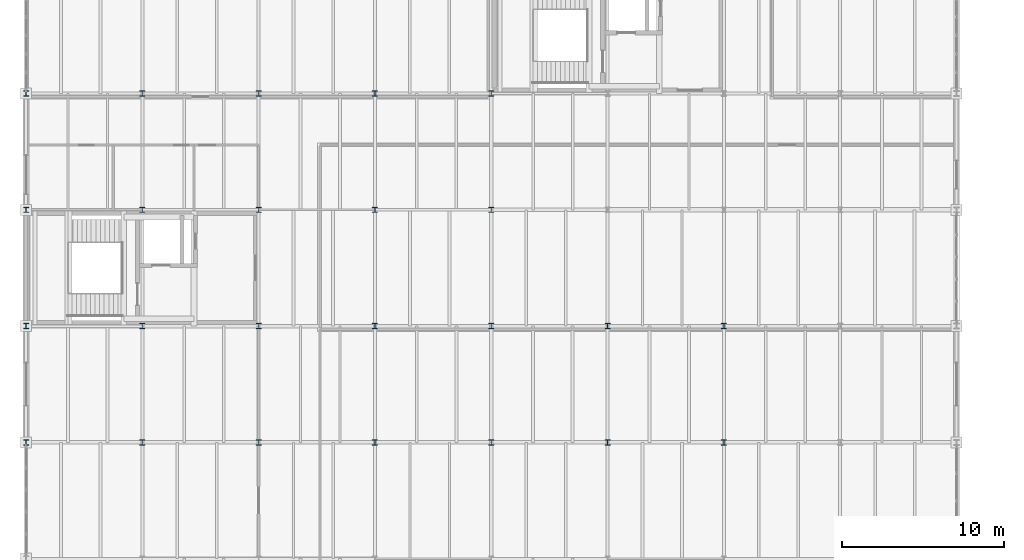
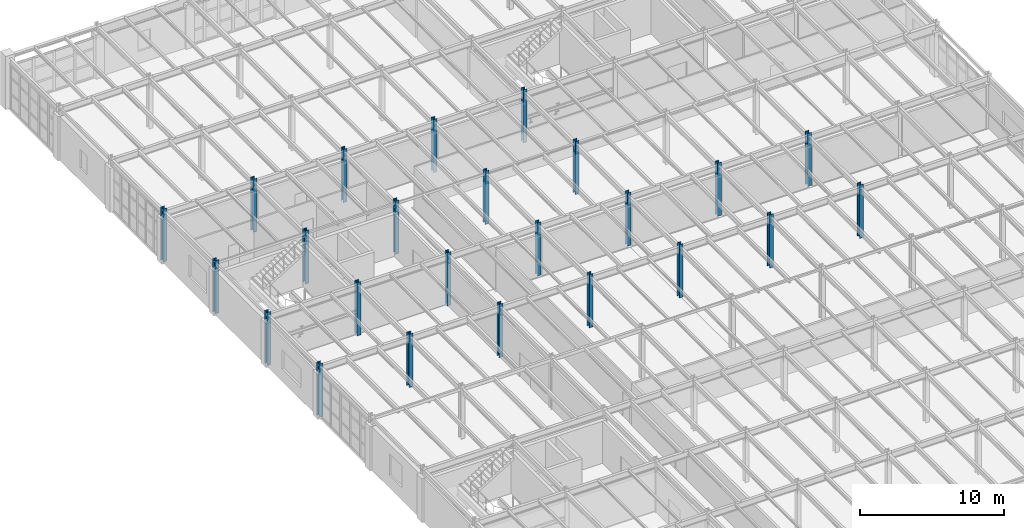
# One storey, part 3 of 137: 24 columns.
"""IFC4 building model written with IfcOpenShell, lengths in metres."""

import ifcopenshell
import ifcopenshell.guid

model = None  # the IFC model being written
_history = None  # IfcOwnerHistory: only IFC2X3 demands one
_inside = {}  # id of a spatial element -> (the spatial element, [elements in it])
_under = {}  # id of a project, library or spatial element -> (it, [spatial elements below it])
_declared = {}  # id of a project -> (the project, [libraries it declares])
_typed = {}  # id of a type object -> (the type object, [elements of that type])
_made_of = {}  # id of a material, layer set ... -> (it, [elements and type objects made of it])


def new_model(schema):
    """Start an empty IFC model of exactly this schema.

    Asked for "IFC4X3", IfcOpenShell would pick the latest addendum, in which some entities
    have other attributes; the version numbers below select the first issue.
    IFC2X3 requires an IfcOwnerHistory on every rooted entity: one is made here for all.
    """
    global model, _history
    if schema == "IFC4X3":
        model = ifcopenshell.file(schema_version=(4, 3, 0, 0))
    else:
        model = ifcopenshell.file(schema=schema)
    _inside.clear()
    _under.clear()
    _declared.clear()
    _typed.clear()
    _made_of.clear()
    _history = None
    if model.schema == "IFC2X3":
        org = make("IfcOrganization", Name="unknown")
        user = make(
            "IfcPersonAndOrganization",
            ThePerson=make("IfcPerson", FamilyName="unknown"),
            TheOrganization=org,
        )
        app = make(
            "IfcApplication",
            ApplicationDeveloper=org,
            Version="unknown",
            ApplicationFullName="unknown",
            ApplicationIdentifier="unknown",
        )
        _history = make(
            "IfcOwnerHistory",
            OwningUser=user,
            OwningApplication=app,
            ChangeAction="ADDED",
            CreationDate=0,
        )
    return model


def make(cls, **values):
    """One entity of the class cls with the attributes given. An attribute that is None is left unset."""
    return model.create_entity(
        cls, **{name: value for name, value in values.items() if value is not None}
    )


def rooted(cls, **values):
    """An entity with a GlobalId (a new one), such as an element, a storey or a relation."""
    return make(cls, GlobalId=ifcopenshell.guid.new(), OwnerHistory=_history, **values)


def si_unit(unit_type, name, prefix=None):
    """IfcSIUnit, for example si_unit("LENGTHUNIT", "METRE", prefix="MILLI")."""
    return make("IfcSIUnit", UnitType=unit_type, Prefix=prefix, Name=name)


def assignment(units):
    """IfcUnitAssignment: the units of a project."""
    return None if units is None else make("IfcUnitAssignment", Units=units)


def point(xyz):
    """IfcCartesianPoint."""
    return None if xyz is None else make("IfcCartesianPoint", Coordinates=xyz)


def direction(xyz):
    """IfcDirection."""
    return None if xyz is None else make("IfcDirection", DirectionRatios=xyz)


def frame(location, z_axis=None, x_axis=None):
    """IfcAxis2Placement3D, a coordinate frame: its origin and axes. An axis left out is left unset."""
    return make(
        "IfcAxis2Placement3D",
        Location=point(location),
        Axis=direction(z_axis),
        RefDirection=direction(x_axis),
    )


def frame_2d(location, x_axis=None):
    """IfcAxis2Placement2D, a coordinate frame in the plane: its origin and x axis."""
    return make(
        "IfcAxis2Placement2D", Location=point(location), RefDirection=direction(x_axis)
    )


def origin():
    """The frame at (0, 0, 0) with its axes left unset."""
    return frame((0.0, 0.0, 0.0))


def origin_2d():
    """The frame at (0, 0) in the plane with its x axis left unset."""
    return frame_2d((0.0, 0.0))


def place(relative_to, where):
    """IfcLocalPlacement: puts the frame where relative to a parent placement (None: the world)."""
    return make(
        "IfcLocalPlacement", PlacementRelTo=relative_to, RelativePlacement=where
    )


def context(
    kind, dimensions, precision=None, world=None, true_north=None, identifier=None
):
    """IfcGeometricRepresentationContext, for example the 3D "Model" context."""
    return make(
        "IfcGeometricRepresentationContext",
        ContextIdentifier=identifier,
        ContextType=kind,
        CoordinateSpaceDimension=dimensions,
        Precision=precision,
        WorldCoordinateSystem=world,
        TrueNorth=true_north,
    )


def subcontext(parent, identifier, kind, view, scale=None):
    """IfcGeometricRepresentationSubContext, for example "Body" below "Model"."""
    return make(
        "IfcGeometricRepresentationSubContext",
        ContextIdentifier=identifier,
        ContextType=kind,
        ParentContext=parent,
        TargetScale=scale,
        TargetView=view,
    )


def project(units=None, contexts=None):
    """IfcProject with its units and contexts."""
    return rooted(
        "IfcProject",
        Name="project",
        RepresentationContexts=contexts,
        UnitsInContext=assignment(units),
    )


def spatial(cls, under=None, at=None, **own):
    """A site, building, storey or space (cls), placed at a placement, below another one or the project."""
    s = rooted(cls, ObjectPlacement=at, **own)
    if under is not None:
        _under.setdefault(under.id(), (under, []))[1].append(s)
    return s


def profile(cls, at=None, kind="AREA", **sizes):
    """A parametric profile (cls). Its sizes go by their IFC names, for example OverallWidth=200.0."""
    return make(cls, ProfileType=kind, Position=at, **sizes)


def i_section(**sizes):
    """IfcIShapeProfileDef."""
    return profile("IfcIShapeProfileDef", **sizes)


def extrude(swept, where, along, depth):
    """IfcExtrudedAreaSolid: the profile swept, set in the frame where, extruded along a direction by depth."""
    return make(
        "IfcExtrudedAreaSolid",
        SweptArea=swept,
        Position=where,
        ExtrudedDirection=direction(along),
        Depth=depth,
    )


def shape(context_of_items, identifier, shape_type, items):
    """IfcShapeRepresentation: the items that make up one representation, for example the "Body"."""
    return make(
        "IfcShapeRepresentation",
        ContextOfItems=context_of_items,
        RepresentationIdentifier=identifier,
        RepresentationType=shape_type,
        Items=items,
    )


def material(Name=None, Category=None):
    """IfcMaterial."""
    return make("IfcMaterial", Name=Name, Category=Category)


def material_profile(
    of_material, cross_section, Name=None, Category=None, Priority=None
):
    """IfcMaterialProfile: a cross section and its material."""
    return make(
        "IfcMaterialProfile",
        Name=Name,
        Material=of_material,
        Profile=cross_section,
        Priority=Priority,
        Category=Category,
    )


def profile_set(profiles, Name=None, composite=None):
    """IfcMaterialProfileSet."""
    return make(
        "IfcMaterialProfileSet",
        Name=Name,
        MaterialProfiles=profiles,
        CompositeProfile=composite,
    )


def made_of(thing, what):
    """Note that an element or type object is made of a material, layer set ...; save() writes the relation."""
    if what is not None:
        _made_of.setdefault(what.id(), (what, []))[1].append(thing)
    return thing


def type_object(cls, material=None, **own):
    """A type object (cls), such as IfcWallType, which elements share."""
    return made_of(rooted(cls, **own), material)


def element(
    cls,
    number,
    at=None,
    inside=None,
    cuts=None,
    type_object=None,
    material=None,
    context=None,
    identifier="Body",
    shape_type=None,
    held_by="IfcProductDefinitionShape",
    body=None,
    shapes=None,
    **own,
):
    """One element of the class cls, such as IfcWall. Its Tag is "e" and its number.

    at: its placement. inside: the storey or other place that contains it. cuts: it is an
    opening in that element (IfcRelVoidsElement). A single representation is given by context,
    identifier, shape_type and body (its items); several are given by shapes. held_by: the class
    of the entity that holds the representations. save() writes the other relations.
    """
    e = rooted(cls, Tag="e%d" % number, ObjectPlacement=at, **own)
    if body is not None:
        shapes = [shape(context, identifier, shape_type, body)]
    if shapes is not None:
        e.Representation = make(held_by, Representations=shapes)
    if inside is not None:
        _inside.setdefault(inside.id(), (inside, []))[1].append(e)
    if cuts is not None:
        rooted(
            "IfcRelVoidsElement", RelatingBuildingElement=cuts, RelatedOpeningElement=e
        )
    if type_object is not None:
        _typed.setdefault(type_object.id(), (type_object, []))[1].append(e)
    return made_of(e, material)


def aggregate(whole, parts):
    """IfcRelAggregates: a whole, such as a stair, and the parts it consists of."""
    return rooted("IfcRelAggregates", RelatingObject=whole, RelatedObjects=parts)


def save(model, path):
    """Write the relations noted so far, then the file.

    IfcRelAggregates (storeys below a building ...), IfcRelContainedInSpatialStructure (elements
    in a storey), IfcRelDefinesByType, IfcRelAssociatesMaterial and IfcRelDeclares: one each for
    every whole, place, type object, material and project.
    """
    for whole, parts in _under.values():
        aggregate(whole, parts)
    for where, things in _inside.values():
        rooted(
            "IfcRelContainedInSpatialStructure",
            RelatedElements=things,
            RelatingStructure=where,
        )
    for kind, things in _typed.values():
        rooted("IfcRelDefinesByType", RelatedObjects=things, RelatingType=kind)
    for what, things in _made_of.values():
        rooted("IfcRelAssociatesMaterial", RelatedObjects=things, RelatingMaterial=what)
    for by, libraries in _declared.values():
        rooted("IfcRelDeclares", RelatingContext=by, RelatedDefinitions=libraries)
    model.write(path)


model = new_model("IFC4")

# Units and contexts
model_context = context("Model", 3, precision=1e-05, world=origin(), true_north=direction((0.0, 1.0)))
body_context = subcontext(model_context, "Body", "Model", "MODEL_VIEW")
ifc_project = project(units=[si_unit("LENGTHUNIT", "METRE"), si_unit("AREAUNIT", "SQUARE_METRE"), si_unit("VOLUMEUNIT", "CUBIC_METRE"), si_unit("PLANEANGLEUNIT", "RADIAN"), si_unit("MASSUNIT", "GRAM", prefix="KILO")], contexts=[model_context])

# Site, building, storey
site_placement = place(None, origin())
site = spatial("IfcSite", under=ifc_project, at=site_placement, CompositionType="ELEMENT")
building_placement = place(site_placement, origin())
building = spatial("IfcBuilding", under=site, at=building_placement, Name="Kemerveld Promenade Tramway Depot", CompositionType="ELEMENT")
storey_placement = place(building_placement, frame((0.0, 0.0, 5.39990234375)))
storey = spatial("IfcBuildingStorey", under=building, at=storey_placement, Name="L01", CompositionType="ELEMENT", Elevation=5.39990234375)

# Columns
ifc_material = material(Name="Steel S355", Category="steel")
ifc_material_profile = material_profile(ifc_material, i_section(OverallWidth=0.311279296875, OverallDepth=0.3271484375, WebThickness=0.015869140625, FlangeThickness=0.02490234375, FilletRadius=0.01513671875, at=origin_2d()), Name="305x305x158 UC")
ifc_profile_set = profile_set([ifc_material_profile], Name="Steel S355")
column_type = type_object("IfcColumnType", Name="COL-S05", PredefinedType="COLUMN", material=ifc_profile_set)
for number, where, z_axis, x_axis, name in (
    (1, (0.0, 36.0, 0.0), (0.0, 0.0, 1.0), (1.0, 0.0, 0.0), "COL-L01-01-F"),
    (2, (0.0, 43.199951171875, 0.0), (0.0, 0.0, 1.0), (1.0, 0.0, 0.0), "COL-L01-01-G"),
    (3, (0.0, 50.39990234375, 0.0), (0.0, 0.0, 1.0), (1.0, 0.0, 0.0), "COL-L01-01-H"),
    (4, (0.0, 57.60009765625, 0.0), (0.0, 0.0, 1.0), (1.0, 0.0, 0.0), "COL-L01-01-J"),
    (5, (7.199951171875, 36.0, 0.0), (0.0, 0.0, 1.0), (1.0, 0.0, 0.0), "COL-L01-02-F"),
    (6, (7.199951171875, 43.199951171875, 0.0), (0.0, 0.0, 1.0), (1.0, 0.0, 0.0), "COL-L01-02-G"),
    (7, (7.199951171875, 50.39990234375, 0.0), (0.0, 0.0, 1.0), (1.0, 0.0, 0.0), "COL-L01-02-H"),
    (8, (7.199951171875, 57.60009765625, 0.0), (0.0, 0.0, 1.0), (1.0, 0.0, 0.0), "COL-L01-02-J"),
    (9, (14.39990234375, 36.0, 0.0), (0.0, 0.0, 1.0), (1.0, 0.0, 0.0), "COL-L01-03-F"),
    (10, (14.39990234375, 43.199951171875, 0.0), (0.0, 0.0, 1.0), (1.0, 0.0, 0.0), "COL-L01-03-G"),
    (11, (14.39990234375, 50.39990234375, 0.0), (0.0, 0.0, 1.0), (1.0, 0.0, 0.0), "COL-L01-03-H"),
    (12, (14.39990234375, 57.60009765625, 0.0), (0.0, 0.0, 1.0), (1.0, 0.0, 0.0), "COL-L01-03-J"),
    (13, (21.60009765625, 36.0, 0.0), (0.0, 0.0, 1.0), (1.0, 0.0, 0.0), "COL-L01-04-F"),
    (14, (21.60009765625, 43.199951171875, 0.0), (0.0, 0.0, 1.0), (1.0, 0.0, 0.0), "COL-L01-04-G"),
    (15, (21.60009765625, 50.39990234375, 0.0), (0.0, 0.0, 1.0), (1.0, 0.0, 0.0), "COL-L01-04-H"),
    (16, (21.60009765625, 57.60009765625, 0.0), (0.0, 0.0, 1.0), (1.0, 0.0, 0.0), "COL-L01-04-J"),
    (17, (28.800048828125, 36.0, 0.0), (0.0, 0.0, 1.0), (1.0, 0.0, 0.0), "COL-L01-05-F"),
    (18, (28.800048828125, 43.199951171875, 0.0), (0.0, 0.0, 1.0), (1.0, 0.0, 0.0), "COL-L01-05-G"),
    (19, (28.800048828125, 50.39990234375, 0.0), (0.0, 0.0, 1.0), (1.0, 0.0, 0.0), "COL-L01-05-H"),
    (20, (28.800048828125, 57.60009765625, 0.0), (0.0, 0.0, 1.0), (1.0, 0.0, 0.0), "COL-L01-05-J"),
    (21, (36.0, 36.0, 0.0), (0.0, 0.0, 1.0), (1.0, 0.0, 0.0), "COL-L01-06-F"),
    (22, (36.0, 43.199951171875, 0.0), (0.0, 0.0, 1.0), (1.0, 0.0, 0.0), "COL-L01-06-G"),
    (23, (43.199951171875, 36.0, 0.0), (0.0, 0.0, 1.0), (1.0, 0.0, 0.0), "COL-L01-07-F"),
    (24, (43.199951171875, 43.199951171875, 0.0), (0.0, 0.0, 1.0), (1.0, 0.0, 0.0), "COL-L01-07-G"),
):
    element("IfcColumn", number, at=place(storey_placement, frame(where, z_axis=z_axis, x_axis=x_axis)), inside=storey, type_object=column_type, Name=name, PredefinedType="COLUMN", context=body_context, shape_type="SweptSolid", body=[
        extrude(i_section(OverallWidth=0.311279296875, OverallDepth=0.3271484375, WebThickness=0.015869140625, FlangeThickness=0.02490234375, FilletRadius=0.01513671875, at=origin_2d()), origin(), (0.0, 0.0, 1.0), 4.5),
    ])

save(model, "model.ifc")
